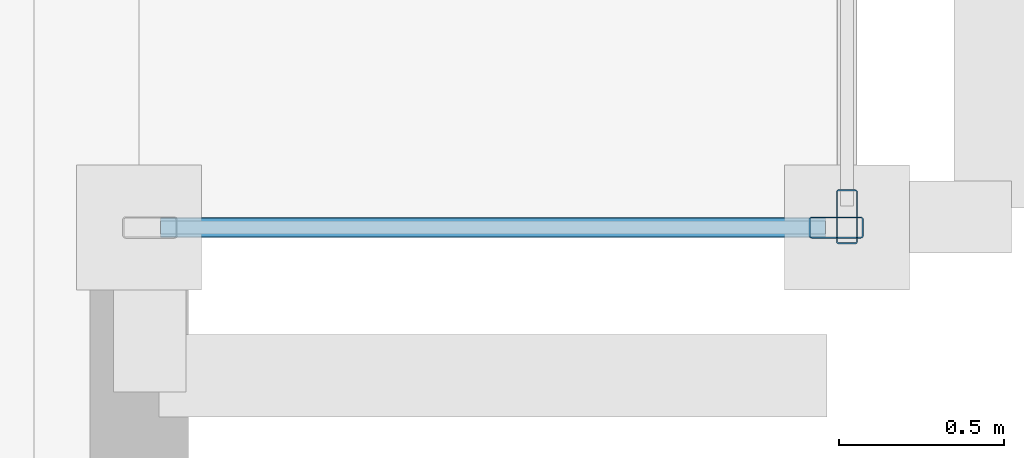
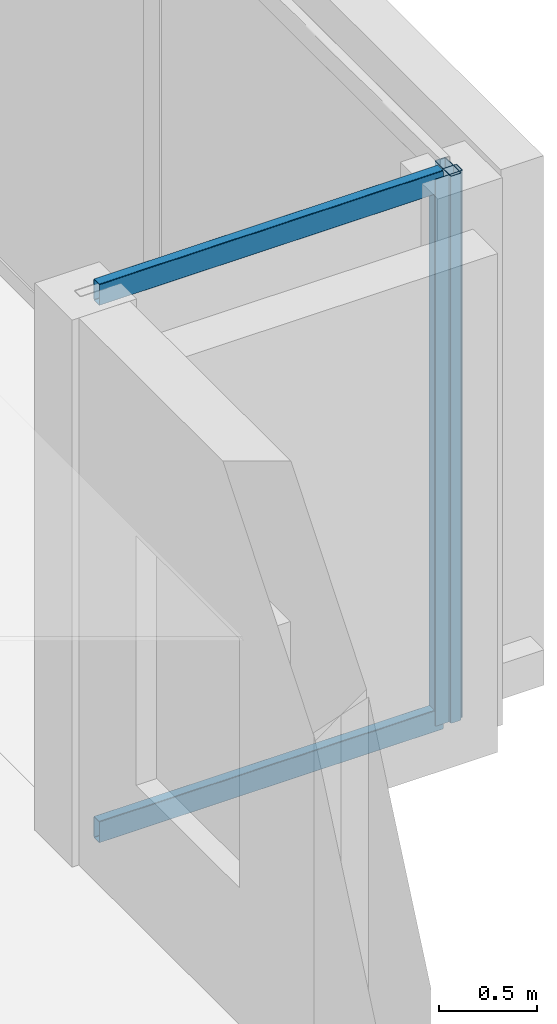
# One storey, part 4 of 16: 4 members, 2 elements without a shape of their own.
"""IFC4 building model written with IfcOpenShell, lengths in metres."""

from ifc_helpers import new_model, si_unit, direction, frame, origin, origin_2d, place, context, subcontext, project, spatial, hollow_rectangle, extrude, material, layer, layer_set, material_profile, profile_set, type_object, element, aggregate, save


model = new_model("IFC4")

# Units and contexts
model_context = context("Model", 3, precision=1e-05, world=origin(), true_north=direction((0.0, 1.0)))
body_context = subcontext(model_context, "Body", "Model", "MODEL_VIEW")
ifc_project = project(units=[si_unit("LENGTHUNIT", "METRE"), si_unit("AREAUNIT", "SQUARE_METRE"), si_unit("VOLUMEUNIT", "CUBIC_METRE"), si_unit("PLANEANGLEUNIT", "RADIAN"), si_unit("MASSUNIT", "GRAM", prefix="KILO")], contexts=[model_context])

# Site, building, storey
site_placement = place(None, origin())
site = spatial("IfcSite", under=ifc_project, at=site_placement, CompositionType="ELEMENT")
building_placement = place(site_placement, origin())
building = spatial("IfcBuilding", under=site, at=building_placement, Name="An Khanh Terracotta Commons", CompositionType="ELEMENT")
storey_placement = place(building_placement, frame((0.0, 0.0, 172.60009765625)))
storey = spatial("IfcBuildingStorey", under=building, at=storey_placement, Name="L45", CompositionType="ELEMENT", Elevation=172.60009765625)

# Curtain wall, member
ifc_material = material(Name="Anodised Aluminium 6063-T6", Category="aluminium")
ifc_layer = layer(ifc_material, 0.239990234375, Name="Anodised Aluminium 6063-T6")
ifc_layer_set = layer_set([ifc_layer], Name="Anodised Aluminium 6063-T6")
curtain_wall_type = type_object("IfcCurtainWallType", Name="CW-SYS-04", PredefinedType="USERDEFINED", material=ifc_layer_set)
curtain_wall_1_placement = place(storey_placement, origin())
curtain_wall_1 = element("IfcCurtainWall", 1, at=curtain_wall_1_placement, inside=storey, type_object=curtain_wall_type, Name="L45 CW-04 Unitised Curtain Wall CW-L45-EBOX-1", ObjectType="UNITISED CURTAIN WALL", PredefinedType="USERDEFINED")
ifc_material_profile_1 = material_profile(ifc_material, hollow_rectangle(XDim=0.06494140625, YDim=0.1650390625, WallThickness=0.00390625, InnerFilletRadius=0.00390625, OuterFilletRadius=0.008056640625, at=origin_2d()), Name="RHS165x65x4")
ifc_profile_set_1 = profile_set([ifc_material_profile_1], Name="Anodised Aluminium 6063-T6")
member_type_1 = type_object("IfcMemberType", Name="CWM-RHS165x65x4", PredefinedType="MULLION", material=ifc_profile_set_1)
member_1_placement = place(storey_placement, frame((65.14990234375, 19.4326171875, 0.0), z_axis=(0.0, 0.0, 1.0), x_axis=(-1.0, 0.0, 0.0)))
member_1 = element("IfcMember", 2, at=member_1_placement, type_object=member_type_1, Name="CW-04 mullion 1", PredefinedType="MULLION", context=body_context, shape_type="SweptSolid", body=[
    extrude(hollow_rectangle(XDim=0.06494140625, YDim=0.1650390625, WallThickness=0.00390625, InnerFilletRadius=0.00390625, OuterFilletRadius=0.008056640625, at=origin_2d()), origin(), (0.0, 0.0, 1.0), 3.39990234375),
])
aggregate(curtain_wall_1, [member_1])

# Curtain wall, members
curtain_wall_2_placement = place(storey_placement, origin())
curtain_wall_2 = element("IfcCurtainWall", 3, at=curtain_wall_2_placement, inside=storey, type_object=curtain_wall_type, Name="L45 CW-04 Unitised Curtain Wall CW-L45-EBOX-2", ObjectType="UNITISED CURTAIN WALL", PredefinedType="USERDEFINED")
member_2_placement = place(storey_placement, frame((65.117431640625, 19.39990234375, 0.0), z_axis=(0.0, 0.0, 1.0), x_axis=(0.0, 1.0, 0.0)))
member_2 = element("IfcMember", 4, at=member_2_placement, type_object=member_type_1, Name="CW-04 mullion 2", PredefinedType="MULLION", context=body_context, shape_type="SweptSolid", body=[
    extrude(hollow_rectangle(XDim=0.06494140625, YDim=0.1650390625, WallThickness=0.00390625, InnerFilletRadius=0.00390625, OuterFilletRadius=0.008056640625, at=origin_2d()), origin(), (0.0, 0.0, 1.0), 3.39990234375),
])
ifc_material_profile_2 = material_profile(ifc_material, hollow_rectangle(XDim=0.06005859375, YDim=0.135009765625, WallThickness=0.003662109375, InnerFilletRadius=0.003662109375, OuterFilletRadius=0.007080078125, at=origin_2d()), Name="RHS135x60x3.6")
ifc_profile_set_2 = profile_set([ifc_material_profile_2], Name="Anodised Aluminium 6063-T6")
member_type_2 = type_object("IfcMemberType", Name="CWT-RHS135x60x3.6", PredefinedType="USERDEFINED", material=ifc_profile_set_2)
member_3_placement = place(storey_placement, frame((63.06494140625, 19.39990234375, 0.02978515625), z_axis=(1.0, 0.0, 0.0), x_axis=(0.0, 1.0, 0.0)))
member_3 = element("IfcMember", 5, at=member_3_placement, type_object=member_type_2, Name="CW-04 transom 1.1", ObjectType="TRANSOM", PredefinedType="USERDEFINED", context=body_context, shape_type="SweptSolid", body=[
    extrude(hollow_rectangle(XDim=0.06005859375, YDim=0.135009765625, WallThickness=0.003662109375, InnerFilletRadius=0.003662109375, OuterFilletRadius=0.007080078125, at=origin_2d()), origin(), (0.0, 0.0, 1.0), 2.02001953125),
])
member_4_placement = place(storey_placement, frame((63.06494140625, 19.39990234375, 3.369873046875), z_axis=(1.0, 0.0, 0.0), x_axis=(0.0, 1.0, 0.0)))
member_4 = element("IfcMember", 6, at=member_4_placement, type_object=member_type_2, Name="CW-04 transom 1.2", ObjectType="TRANSOM", PredefinedType="USERDEFINED", context=body_context, shape_type="SweptSolid", body=[
    extrude(hollow_rectangle(XDim=0.06005859375, YDim=0.135009765625, WallThickness=0.003662109375, InnerFilletRadius=0.003662109375, OuterFilletRadius=0.007080078125, at=origin_2d()), origin(), (0.0, 0.0, 1.0), 2.02001953125),
])
aggregate(curtain_wall_2, [member_2, member_3, member_4])

save(model, "model.ifc")
